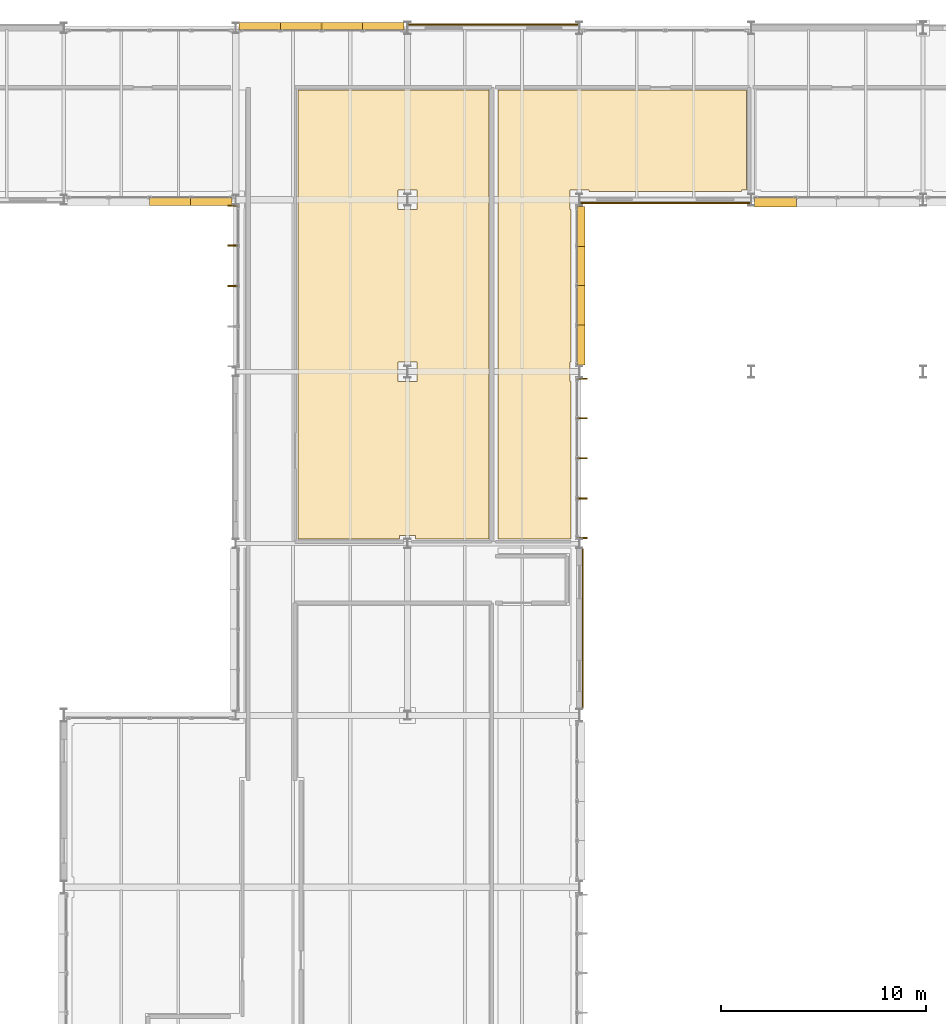
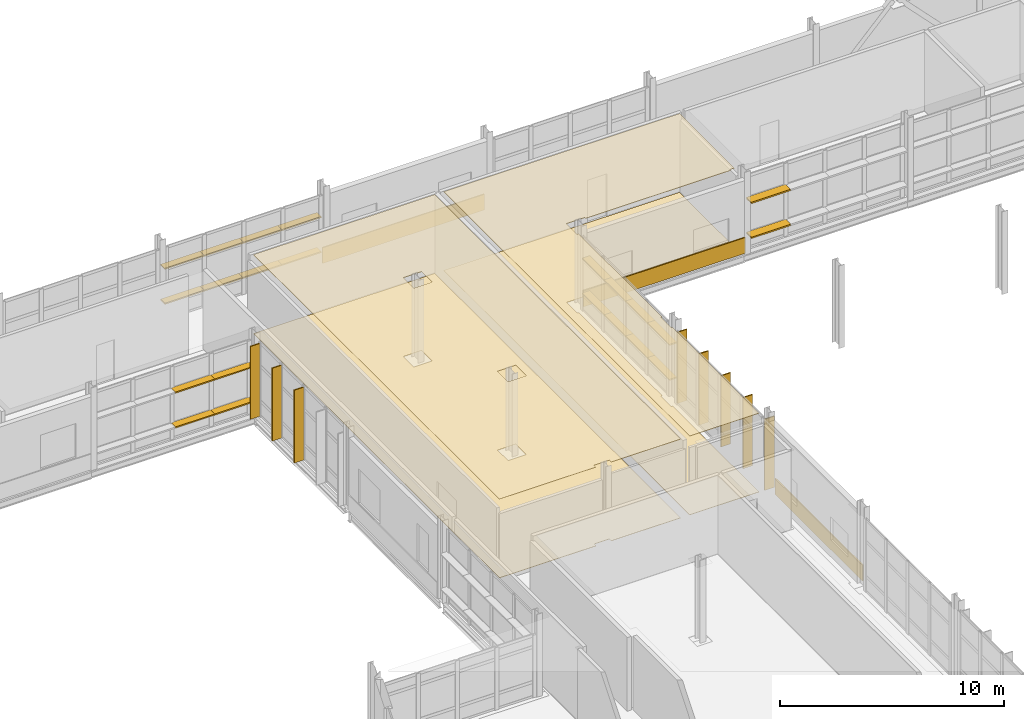
# One storey, part 121 of 129: 30 shading devices, 7 coverings.
"""IFC4 building model written with IfcOpenShell, lengths in metres."""

from ifc_helpers import new_model, si_unit, direction, frame, origin, origin_2d, place, context, subcontext, project, spatial, polyline, rectangle, outline, extrude, material, layer, layer_set, type_object, element, save


model = new_model("IFC4")

# Units and contexts
model_context = context("Model", 3, precision=1e-05, world=origin(), true_north=direction((0.0, 1.0)))
body_context = subcontext(model_context, "Body", "Model", "MODEL_VIEW")
ifc_project = project(units=[si_unit("LENGTHUNIT", "METRE"), si_unit("AREAUNIT", "SQUARE_METRE"), si_unit("VOLUMEUNIT", "CUBIC_METRE"), si_unit("PLANEANGLEUNIT", "RADIAN"), si_unit("MASSUNIT", "GRAM", prefix="KILO")], contexts=[model_context])

# Site, building, storey
site_placement = place(None, origin())
site = spatial("IfcSite", under=ifc_project, at=site_placement, CompositionType="ELEMENT")
building_placement = place(site_placement, origin())
building = spatial("IfcBuilding", under=site, at=building_placement, Name="Mersafa Astral City Hall", CompositionType="ELEMENT")
storey_placement = place(building_placement, frame((0.0, 0.0, 5.39990234375)))
storey = spatial("IfcBuildingStorey", under=building, at=storey_placement, Name="L01", CompositionType="ELEMENT", Elevation=5.39990234375)

# Coverings
ifc_material_1 = material(Name="Cairo Mokattam buff limestone cladding", Category="masonry")
ifc_layer_1 = layer(ifc_material_1, 0.06005859375, Name="Cairo Mokattam buff limestone cladding")
ifc_layer_set_1 = layer_set([ifc_layer_1], Name="Cairo Mokattam buff limestone cladding — ENV-COV-LIMESTONE-60")
covering_type_1 = type_object("IfcCoveringType", Name="ENV-COV-LIMESTONE-60", PredefinedType="CLADDING", material=ifc_layer_set_1)
covering_1_placement = place(storey_placement, frame((117.761962890625, 96.64990234375, 0.0), z_axis=(0.0, 0.0, 1.0), x_axis=(0.0, 1.0, 0.0)))
element("IfcCovering", 1, at=covering_1_placement, inside=storey, type_object=covering_type_1, Name="L01 Cairo buff limestone rainscreen cladding 80", PredefinedType="CLADDING", context=body_context, shape_type="SweptSolid", body=[
    extrude(rectangle(XDim=7.798095703125, YDim=0.06005859375, at=origin_2d()), origin(), (0.0, 0.0, 1.0), 0.860107421875),
])
for number, where, z_axis, x_axis, name in (
    (2, (121.800048828125, 117.445556640625, 0.0), (0.0, 0.0, 1.0), (1.0, 0.0, 0.0), "L01 Cairo buff limestone rainscreen cladding 81"),
    (3, (113.39990234375, 126.16943359375, 0.0), (0.0, 0.0, 1.0), (-1.0, 0.0, 0.0), "L01 Cairo buff limestone rainscreen cladding 103"),
):
    element("IfcCovering", number, at=place(storey_placement, frame(where, z_axis=z_axis, x_axis=x_axis)), inside=storey, type_object=covering_type_1, Name=name, PredefinedType="CLADDING", context=body_context, shape_type="SweptSolid", body=[
        extrude(rectangle(XDim=8.323974609375, YDim=0.06005859375, at=origin_2d()), origin(), (0.0, 0.0, 1.0), 0.860107421875),
    ])

# Shading devices
ifc_material_2 = material(Name="Anodised bronze aluminium solar fin", Category="aluminium")
shading_device_type_1 = type_object("IfcShadingDeviceType", Name="ENV-SHD-FIN-500B", PredefinedType="USERDEFINED", material=ifc_material_2)
for number, where, z_axis, x_axis, name in (
    (4, (117.7451171875, 101.06689453125, -0.014892578125), (0.0, 0.0, 1.0), (0.0, 1.0, 0.0), "L01 Vertical bronze solar fin 377"),
    (5, (117.7451171875, 102.999755859375, -0.014892578125), (0.0, 0.0, 1.0), (0.0, 1.0, 0.0), "L01 Vertical bronze solar fin 378"),
    (6, (117.7451171875, 104.96240234375, -0.014892578125), (0.0, 0.0, 1.0), (0.0, 1.0, 0.0), "L01 Vertical bronze solar fin 379"),
    (7, (117.7451171875, 106.92529296875, -0.014892578125), (0.0, 0.0, 1.0), (0.0, 1.0, 0.0), "L01 Vertical bronze solar fin 380"),
    (8, (117.7451171875, 108.85791015625, -0.014892578125), (0.0, 0.0, 1.0), (0.0, 1.0, 0.0), "L01 Vertical bronze solar fin 381"),
):
    element("IfcShadingDevice", number, at=place(storey_placement, frame(where, z_axis=z_axis, x_axis=x_axis)), inside=storey, type_object=shading_device_type_1, Name=name, ObjectType="FIN", PredefinedType="USERDEFINED", context=body_context, shape_type="SweptSolid", body=[
        extrude(rectangle(XDim=0.06005859375, YDim=0.5, at=origin_2d()), origin(), (0.0, 0.0, 1.0), 3.8720703125),
    ])
for number, where, z_axis, x_axis, name in (
    (9, (100.655029296875, 117.30810546875, -0.014892578125), (0.0, 0.0, 1.0), (0.0, -1.0, 0.0), "L01 Vertical bronze solar fin 580"),
    (10, (100.655029296875, 115.36279296875, -0.014892578125), (0.0, 0.0, 1.0), (0.0, -1.0, 0.0), "L01 Vertical bronze solar fin 581"),
    (11, (100.655029296875, 113.387451171875, -0.014892578125), (0.0, 0.0, 1.0), (0.0, -1.0, 0.0), "L01 Vertical bronze solar fin 582"),
):
    element("IfcShadingDevice", number, at=place(storey_placement, frame(where, z_axis=z_axis, x_axis=x_axis)), inside=storey, type_object=shading_device_type_1, Name=name, ObjectType="FIN", PredefinedType="USERDEFINED", context=body_context, shape_type="SweptSolid", body=[
        extrude(rectangle(XDim=0.06005859375, YDim=0.5, at=origin_2d()), origin(), (0.0, 0.0, 1.0), 3.9619140625),
    ])
ifc_material_3 = material(Name="Kiln-dried cedar timber brise-soleil blade", Category="wood")
shading_device_type_2 = type_object("IfcShadingDeviceType", Name="ENV-SHD-LOUVRE-380", PredefinedType="JALOUSIE", material=ifc_material_3)
shading_device_1_placement = place(storey_placement, frame((117.679931640625, 110.4990234375, 0.81494140625), z_axis=(0.0, 0.0, 1.0), x_axis=(0.0, 1.0, 0.0)))
element("IfcShadingDevice", 12, at=shading_device_1_placement, inside=storey, type_object=shading_device_type_2, Name="L01 Horizontal cedar brise-soleil louvre 382", PredefinedType="JALOUSIE", context=body_context, shape_type="SweptSolid", body=[
    extrude(rectangle(XDim=1.9541015625, YDim=0.3798828125, at=origin_2d()), origin(), (0.0, 0.0, 1.0), 0.070068359375),
])
for number, where, z_axis, x_axis, name in (
    (13, (117.679931640625, 112.427978515625, 0.81494140625), (0.0, 0.0, 1.0), (0.0, 1.0, 0.0), "L01 Horizontal cedar brise-soleil louvre 383"),
    (14, (117.679931640625, 114.3720703125, 0.81494140625), (0.0, 0.0, 1.0), (0.0, 1.0, 0.0), "L01 Horizontal cedar brise-soleil louvre 384"),
):
    element("IfcShadingDevice", number, at=place(storey_placement, frame(where, z_axis=z_axis, x_axis=x_axis)), inside=storey, type_object=shading_device_type_2, Name=name, PredefinedType="JALOUSIE", context=body_context, shape_type="SweptSolid", body=[
        extrude(rectangle(XDim=1.98388671875, YDim=0.3798828125, at=origin_2d()), origin(), (0.0, 0.0, 1.0), 0.070068359375),
    ])
for number, where, z_axis, x_axis, name in (
    (15, (117.679931640625, 116.301025390625, 0.81494140625), (0.0, 0.0, 1.0), (0.0, 1.0, 0.0), "L01 Horizontal cedar brise-soleil louvre 385"),
    (16, (117.679931640625, 110.4990234375, 2.71484375), (0.0, 0.0, 1.0), (0.0, 1.0, 0.0), "L01 Horizontal cedar brise-soleil louvre 386"),
):
    element("IfcShadingDevice", number, at=place(storey_placement, frame(where, z_axis=z_axis, x_axis=x_axis)), inside=storey, type_object=shading_device_type_2, Name=name, PredefinedType="JALOUSIE", context=body_context, shape_type="SweptSolid", body=[
        extrude(rectangle(XDim=1.9541015625, YDim=0.3798828125, at=origin_2d()), origin(), (0.0, 0.0, 1.0), 0.070068359375),
    ])
for number, where, z_axis, x_axis, name in (
    (17, (117.679931640625, 112.427978515625, 2.71484375), (0.0, 0.0, 1.0), (0.0, 1.0, 0.0), "L01 Horizontal cedar brise-soleil louvre 387"),
    (18, (117.679931640625, 114.3720703125, 2.71484375), (0.0, 0.0, 1.0), (0.0, 1.0, 0.0), "L01 Horizontal cedar brise-soleil louvre 388"),
):
    element("IfcShadingDevice", number, at=place(storey_placement, frame(where, z_axis=z_axis, x_axis=x_axis)), inside=storey, type_object=shading_device_type_2, Name=name, PredefinedType="JALOUSIE", context=body_context, shape_type="SweptSolid", body=[
        extrude(rectangle(XDim=1.98388671875, YDim=0.3798828125, at=origin_2d()), origin(), (0.0, 0.0, 1.0), 0.070068359375),
    ])
shading_device_2_placement = place(storey_placement, frame((117.679931640625, 116.301025390625, 2.71484375), z_axis=(0.0, 0.0, 1.0), x_axis=(0.0, 1.0, 0.0)))
element("IfcShadingDevice", 19, at=shading_device_2_placement, inside=storey, type_object=shading_device_type_2, Name="L01 Horizontal cedar brise-soleil louvre 389", PredefinedType="JALOUSIE", context=body_context, shape_type="SweptSolid", body=[
    extrude(rectangle(XDim=1.9541015625, YDim=0.3798828125, at=origin_2d()), origin(), (0.0, 0.0, 1.0), 0.070068359375),
])
shading_device_3_placement = place(storey_placement, frame((108.013427734375, 126.080078125, 0.81494140625), z_axis=(0.0, 0.0, 1.0), x_axis=(-1.0, 0.0, 0.0)))
element("IfcShadingDevice", 20, at=shading_device_3_placement, inside=storey, type_object=shading_device_type_2, Name="L01 Horizontal cedar brise-soleil louvre 498", PredefinedType="JALOUSIE", context=body_context, shape_type="SweptSolid", body=[
    extrude(rectangle(XDim=2.029052734375, YDim=0.3798828125, at=origin_2d()), origin(), (0.0, 0.0, 1.0), 0.070068359375),
])
for number, where, z_axis, x_axis, name in (
    (21, (106.009521484375, 126.080078125, 0.81494140625), (0.0, 0.0, 1.0), (-1.0, 0.0, 0.0), "L01 Horizontal cedar brise-soleil louvre 499"),
    (22, (103.990478515625, 126.080078125, 0.81494140625), (0.0, 0.0, 1.0), (-1.0, 0.0, 0.0), "L01 Horizontal cedar brise-soleil louvre 500"),
):
    element("IfcShadingDevice", number, at=place(storey_placement, frame(where, z_axis=z_axis, x_axis=x_axis)), inside=storey, type_object=shading_device_type_2, Name=name, PredefinedType="JALOUSIE", context=body_context, shape_type="SweptSolid", body=[
        extrude(rectangle(XDim=2.05908203125, YDim=0.3798828125, at=origin_2d()), origin(), (0.0, 0.0, 1.0), 0.070068359375),
    ])
for number, where, z_axis, x_axis, name in (
    (23, (101.986572265625, 126.080078125, 0.81494140625), (0.0, 0.0, 1.0), (-1.0, 0.0, 0.0), "L01 Horizontal cedar brise-soleil louvre 501"),
    (24, (108.013427734375, 126.080078125, 2.71484375), (0.0, 0.0, 1.0), (-1.0, 0.0, 0.0), "L01 Horizontal cedar brise-soleil louvre 502"),
):
    element("IfcShadingDevice", number, at=place(storey_placement, frame(where, z_axis=z_axis, x_axis=x_axis)), inside=storey, type_object=shading_device_type_2, Name=name, PredefinedType="JALOUSIE", context=body_context, shape_type="SweptSolid", body=[
        extrude(rectangle(XDim=2.029052734375, YDim=0.3798828125, at=origin_2d()), origin(), (0.0, 0.0, 1.0), 0.070068359375),
    ])
for number, where, z_axis, x_axis, name in (
    (25, (106.009521484375, 126.080078125, 2.71484375), (0.0, 0.0, 1.0), (-1.0, 0.0, 0.0), "L01 Horizontal cedar brise-soleil louvre 503"),
    (26, (103.990478515625, 126.080078125, 2.71484375), (0.0, 0.0, 1.0), (-1.0, 0.0, 0.0), "L01 Horizontal cedar brise-soleil louvre 504"),
):
    element("IfcShadingDevice", number, at=place(storey_placement, frame(where, z_axis=z_axis, x_axis=x_axis)), inside=storey, type_object=shading_device_type_2, Name=name, PredefinedType="JALOUSIE", context=body_context, shape_type="SweptSolid", body=[
        extrude(rectangle(XDim=2.05908203125, YDim=0.3798828125, at=origin_2d()), origin(), (0.0, 0.0, 1.0), 0.070068359375),
    ])
shading_device_4_placement = place(storey_placement, frame((101.986572265625, 126.080078125, 2.71484375), z_axis=(0.0, 0.0, 1.0), x_axis=(-1.0, 0.0, 0.0)))
element("IfcShadingDevice", 27, at=shading_device_4_placement, inside=storey, type_object=shading_device_type_2, Name="L01 Horizontal cedar brise-soleil louvre 505", PredefinedType="JALOUSIE", context=body_context, shape_type="SweptSolid", body=[
    extrude(rectangle(XDim=2.029052734375, YDim=0.3798828125, at=origin_2d()), origin(), (0.0, 0.0, 1.0), 0.070068359375),
])
shading_device_5_placement = place(storey_placement, frame((97.609619140625, 117.52001953125, 0.81494140625), z_axis=(0.0, 0.0, 1.0), x_axis=(1.0, 0.0, 0.0)))
element("IfcShadingDevice", 28, at=shading_device_5_placement, inside=storey, type_object=shading_device_type_2, Name="L01 Horizontal cedar brise-soleil louvre 574", PredefinedType="JALOUSIE", context=body_context, shape_type="SweptSolid", body=[
    extrude(rectangle(XDim=2.05908203125, YDim=0.3798828125, at=origin_2d()), origin(), (0.0, 0.0, 1.0), 0.070068359375),
])
shading_device_6_placement = place(storey_placement, frame((99.613525390625, 117.52001953125, 0.81494140625), z_axis=(0.0, 0.0, 1.0), x_axis=(1.0, 0.0, 0.0)))
element("IfcShadingDevice", 29, at=shading_device_6_placement, inside=storey, type_object=shading_device_type_2, Name="L01 Horizontal cedar brise-soleil louvre 575", PredefinedType="JALOUSIE", context=body_context, shape_type="SweptSolid", body=[
    extrude(rectangle(XDim=2.029052734375, YDim=0.3798828125, at=origin_2d()), origin(), (0.0, 0.0, 1.0), 0.070068359375),
])
shading_device_7_placement = place(storey_placement, frame((97.609619140625, 117.52001953125, 2.71484375), z_axis=(0.0, 0.0, 1.0), x_axis=(1.0, 0.0, 0.0)))
element("IfcShadingDevice", 30, at=shading_device_7_placement, inside=storey, type_object=shading_device_type_2, Name="L01 Horizontal cedar brise-soleil louvre 578", PredefinedType="JALOUSIE", context=body_context, shape_type="SweptSolid", body=[
    extrude(rectangle(XDim=2.05908203125, YDim=0.3798828125, at=origin_2d()), origin(), (0.0, 0.0, 1.0), 0.070068359375),
])
shading_device_8_placement = place(storey_placement, frame((99.613525390625, 117.52001953125, 2.71484375), z_axis=(0.0, 0.0, 1.0), x_axis=(1.0, 0.0, 0.0)))
element("IfcShadingDevice", 31, at=shading_device_8_placement, inside=storey, type_object=shading_device_type_2, Name="L01 Horizontal cedar brise-soleil louvre 579", PredefinedType="JALOUSIE", context=body_context, shape_type="SweptSolid", body=[
    extrude(rectangle(XDim=2.029052734375, YDim=0.3798828125, at=origin_2d()), origin(), (0.0, 0.0, 1.0), 0.070068359375),
])
shading_device_type_3 = type_object("IfcShadingDeviceType", Name="ENV-SHD-LOUVRE-450", PredefinedType="JALOUSIE", material=ifc_material_3)
for number, where, z_axis, x_axis, name in (
    (32, (127.1865234375, 117.485107421875, 0.81005859375), (0.0, 0.0, 1.0), (1.0, 0.0, 0.0), "L01 Horizontal cedar brise-soleil louvre 390"),
    (33, (127.1865234375, 117.485107421875, 2.7099609375), (0.0, 0.0, 1.0), (1.0, 0.0, 0.0), "L01 Horizontal cedar brise-soleil louvre 394"),
):
    element("IfcShadingDevice", number, at=place(storey_placement, frame(where, z_axis=z_axis, x_axis=x_axis)), inside=storey, type_object=shading_device_type_3, Name=name, PredefinedType="JALOUSIE", context=body_context, shape_type="SweptSolid", body=[
        extrude(rectangle(XDim=2.029052734375, YDim=0.449951171875, at=origin_2d()), origin(), (0.0, 0.0, 1.0), 0.080078125),
    ])

# Coverings
ifc_material_4 = material(Name="Perforated acoustic gypsum board ceiling", Category="gypsum")
ifc_layer_2 = layer(ifc_material_4, 0.02490234375, Name="Perforated acoustic gypsum board ceiling")
ifc_layer_set_2 = layer_set([ifc_layer_2], Name="Perforated acoustic gypsum board ceiling — INT-COV-CEIL-25")
covering_type_2 = type_object("IfcCoveringType", Name="INT-COV-CEIL-25", PredefinedType="CEILING", material=ifc_layer_set_2)
covering_2_placement = place(storey_placement, frame((0.0, 0.0, 4.281005859375)))
element("IfcCovering", 34, at=covering_2_placement, inside=storey, type_object=covering_type_2, Name="L01 Citizens Service Centre L01-02 acoustic ceiling", PredefinedType="CEILING", context=body_context, shape_type="SweptSolid", body=[
    extrude(outline(polyline([(113.169921875, 101.030029296875), (109.594970703125, 101.030029296875), (109.594970703125, 101.195068359375), (108.804931640625, 101.195068359375), (108.804931640625, 101.030029296875), (103.840087890625, 101.030029296875), (103.840087890625, 122.9599609375), (113.169921875, 122.9599609375), (113.169921875, 101.030029296875)]), holes=[polyline([(109.669921875, 108.72998046875), (109.669921875, 109.669921875), (108.72998046875, 109.669921875), (108.72998046875, 108.72998046875), (109.669921875, 108.72998046875)]), polyline([(108.72998046875, 117.1298828125), (109.669921875, 117.1298828125), (109.669921875, 118.070068359375), (108.72998046875, 118.070068359375), (108.72998046875, 117.1298828125)])]), origin(), (0.0, 0.0, 1.0), 0.025146484375),
])
covering_3_placement = place(storey_placement, frame((0.0, 0.0, 4.281005859375)))
element("IfcCovering", 35, at=covering_3_placement, inside=storey, type_object=covering_type_2, Name="L01 Members Reading Room L01-04 acoustic ceiling", PredefinedType="CEILING", context=body_context, shape_type="SweptSolid", body=[
    extrude(outline(polyline([(113.6298828125, 122.9599609375), (125.77001953125, 122.9599609375), (125.77001953125, 118.070068359375), (125.530029296875, 118.070068359375), (125.530029296875, 118.0), (118.070068359375, 118.0), (118.070068359375, 118.070068359375), (117.1298828125, 118.070068359375), (117.1298828125, 117.1298828125), (117.199951171875, 117.1298828125), (117.199951171875, 109.669921875), (117.1298828125, 109.669921875), (117.1298828125, 108.72998046875), (117.199951171875, 108.72998046875), (117.199951171875, 101.030029296875), (113.6298828125, 101.030029296875), (113.6298828125, 122.9599609375)])), origin(), (0.0, 0.0, 1.0), 0.025146484375),
])
ifc_material_5 = material(Name="Honed Cairo limestone terrazzo flooring", Category="masonry")
ifc_layer_3 = layer(ifc_material_5, 0.02001953125, Name="Honed Cairo limestone terrazzo flooring")
ifc_layer_set_3 = layer_set([ifc_layer_3], Name="Honed Cairo limestone terrazzo flooring — INT-COV-FLR-20")
covering_type_3 = type_object("IfcCoveringType", Name="INT-COV-FLR-20", PredefinedType="FLOORING", material=ifc_layer_set_3)
covering_4_placement = place(storey_placement, frame((0.0, 0.0, -0.00146484375)))
element("IfcCovering", 36, at=covering_4_placement, inside=storey, type_object=covering_type_3, Name="L01 Citizens Service Centre L01-02 architectural flooring", PredefinedType="FLOORING", context=body_context, shape_type="SweptSolid", body=[
    extrude(outline(polyline([(113.169921875, 101.030029296875), (109.594970703125, 101.030029296875), (109.594970703125, 101.195068359375), (108.804931640625, 101.195068359375), (108.804931640625, 101.030029296875), (103.840087890625, 101.030029296875), (103.840087890625, 122.9599609375), (113.169921875, 122.9599609375), (113.169921875, 101.030029296875)]), holes=[polyline([(109.669921875, 108.72998046875), (109.669921875, 109.669921875), (108.72998046875, 109.669921875), (108.72998046875, 108.72998046875), (109.669921875, 108.72998046875)]), polyline([(108.72998046875, 117.1298828125), (109.669921875, 117.1298828125), (109.669921875, 118.070068359375), (108.72998046875, 118.070068359375), (108.72998046875, 117.1298828125)])]), origin(), (0.0, 0.0, 1.0), 0.02001953125),
])
covering_5_placement = place(storey_placement, frame((0.0, 0.0, -0.00146484375)))
element("IfcCovering", 37, at=covering_5_placement, inside=storey, type_object=covering_type_3, Name="L01 Members Reading Room L01-04 architectural flooring", PredefinedType="FLOORING", context=body_context, shape_type="SweptSolid", body=[
    extrude(outline(polyline([(113.6298828125, 122.9599609375), (125.77001953125, 122.9599609375), (125.77001953125, 118.070068359375), (125.530029296875, 118.070068359375), (125.530029296875, 118.0), (118.070068359375, 118.0), (118.070068359375, 118.070068359375), (117.1298828125, 118.070068359375), (117.1298828125, 117.1298828125), (117.199951171875, 117.1298828125), (117.199951171875, 109.669921875), (117.1298828125, 109.669921875), (117.1298828125, 108.72998046875), (117.199951171875, 108.72998046875), (117.199951171875, 101.030029296875), (113.6298828125, 101.030029296875), (113.6298828125, 122.9599609375)])), origin(), (0.0, 0.0, 1.0), 0.02001953125),
])

save(model, "model.ifc")
